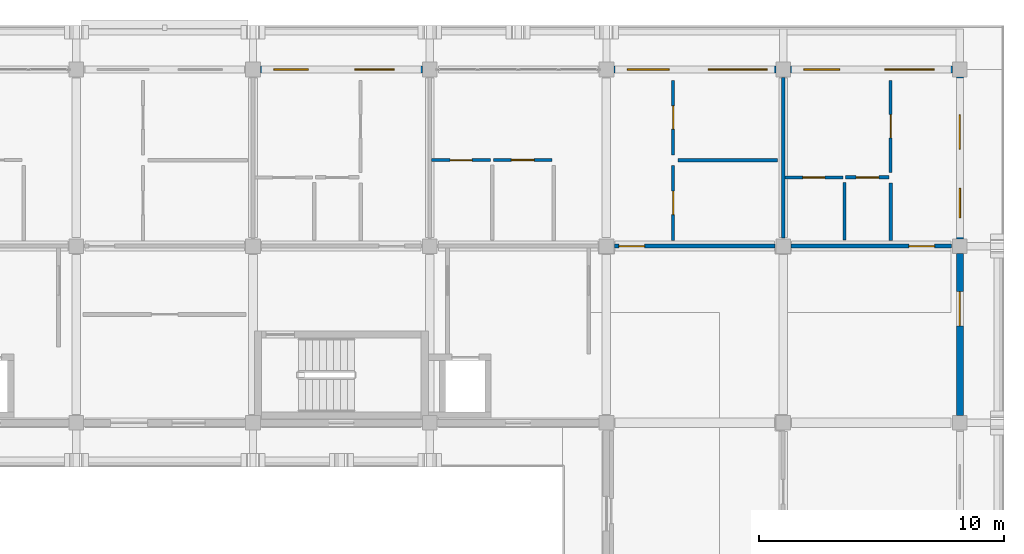
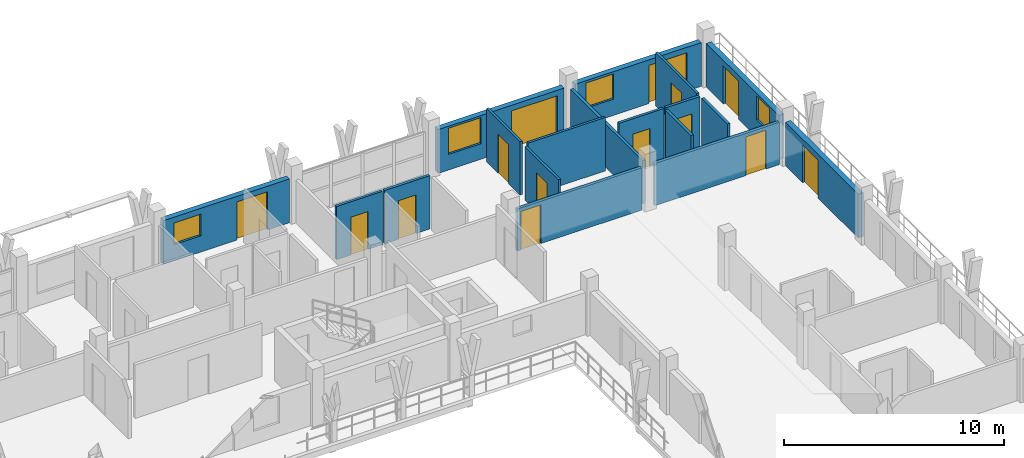
# One storey, part 137 of 157: 18 walls, 14 doors, 4 windows, 18 openings.
"""IFC4 building model written with IfcOpenShell, lengths in metres."""

from ifc_helpers import new_model, si_unit, direction, frame, frame_2d, origin, place, context, subcontext, project, spatial, rectangle, extrude, material, layer, layer_set, type_object, element, fill, save


model = new_model("IFC4")

# Units and contexts
model_context = context("Model", 3, precision=1e-05, world=origin(), true_north=direction((0.0, 1.0)))
body_context = subcontext(model_context, "Body", "Model", "MODEL_VIEW")
ifc_project = project(units=[si_unit("LENGTHUNIT", "METRE"), si_unit("AREAUNIT", "SQUARE_METRE"), si_unit("VOLUMEUNIT", "CUBIC_METRE"), si_unit("PLANEANGLEUNIT", "RADIAN"), si_unit("MASSUNIT", "GRAM", prefix="KILO")], contexts=[model_context])

# Site, building, storey
site_placement = place(None, origin())
site = spatial("IfcSite", under=ifc_project, at=site_placement, CompositionType="ELEMENT")
building_placement = place(site_placement, origin())
building = spatial("IfcBuilding", under=site, at=building_placement, Name="Suanplinth Sawtooth Commons", CompositionType="ELEMENT")
storey_placement = place(building_placement, frame((0.0, 0.0, 9.0)))
storey = spatial("IfcBuildingStorey", under=building, at=storey_placement, Name="L02", CompositionType="ELEMENT", Elevation=9.0)

# Wall, openings, door, window
ifc_material_1 = material(Name="Precast concrete C40/50", Category="concrete")
ifc_layer_1 = layer(ifc_material_1, 0.280029296875, Name="Insulated precast architectural facade wall 280mm")
ifc_layer_set_1 = layer_set([ifc_layer_1], Name="Precast concrete C40/50")
wall_type_1 = type_object("IfcWallType", Name="W-EX01", PredefinedType="ELEMENTEDWALL", material=ifc_layer_set_1)
wall_1_placement = place(storey_placement, frame((158.699951171875, 122.39990234375, 0.0), z_axis=(0.0, 0.0, 1.0), x_axis=(1.0, 0.0, 0.0)))
wall_1 = element("IfcWall", 1, at=wall_1_placement, inside=storey, type_object=wall_type_1, Name="Facade Wall W-L02-B-N-22-16", PredefinedType="ELEMENTEDWALL", context=body_context, shape_type="SweptSolid", body=[
    extrude(rectangle(XDim=6.60009765625, YDim=0.280029296875, at=frame_2d((3.300048828125, 0.0))), origin(), (0.0, 0.0, 1.0), 2.425048828125),
])
opening_1_placement = place(wall_1_placement, frame((3.85009765625, 0.0, 0.0)))
opening_1 = element("IfcOpeningElement", 2, at=opening_1_placement, cuts=wall_1, Name="Opening ED0163", PredefinedType="OPENING", context=body_context, shape_type="SweptSolid", body=[
    extrude(rectangle(XDim=1.60009765625, YDim=2.1201171875, at=frame_2d((0.800048828125, 1.06005859375))), frame((0.0, 0.15478515625, 0.0), z_axis=(0.0, -1.0, 0.0), x_axis=(1.0, 0.0, 0.0)), (0.0, 0.0, 1.0), 0.309814453125),
])
opening_2_placement = place(wall_1_placement, frame((0.550048828125, 0.0, 0.89990234375)))
opening_2 = element("IfcOpeningElement", 3, at=opening_2_placement, cuts=wall_1, Name="Opening W0280", PredefinedType="OPENING", context=body_context, shape_type="SweptSolid", body=[
    extrude(rectangle(XDim=1.39990234375, YDim=1.199951171875, at=frame_2d((0.699951171875, 0.60009765625))), frame((0.0, 0.15478515625, 0.0), z_axis=(0.0, -1.0, 0.0), x_axis=(1.0, 0.0, 0.0)), (0.0, 0.0, 1.0), 0.309814453125),
])
ifc_material_2 = material(Name="Anodized aluminium and low-E glass", Category="aluminium")
door_type_1 = type_object("IfcDoorType", Name="SD-02", OperationType="SLIDING_TO_RIGHT", PredefinedType="DOOR", material=ifc_material_2)
door_1_placement = place(opening_1_placement, frame((1.60009765625, 0.0, 0.0), z_axis=(0.0, 0.0, 1.0), x_axis=(-1.0, 0.0, 0.0)))
door_1 = element("IfcDoor", 4, at=door_1_placement, inside=storey, type_object=door_type_1, Name="Balcony Sliding Door L02-B-22", OperationType="SLIDING_TO_RIGHT", OverallHeight=2.1201171875, OverallWidth=1.60009765625, PredefinedType="DOOR", context=body_context, shape_type="SweptSolid", body=[
    extrude(rectangle(XDim=1.60009765625, YDim=2.1201171875, at=frame_2d((0.800048828125, 1.06005859375))), frame((0.0, 0.02490234375, 0.0), z_axis=(0.0, -1.0, 0.0), x_axis=(1.0, 0.0, 0.0)), (0.0, 0.0, 1.0), 0.050048828125),
])
fill(opening_1, door_1)
ifc_material_3 = material(Name="Thermally broken aluminium and low-E double glazing", Category="aluminium")
window_type_1 = type_object("IfcWindowType", Name="WN-10", PartitioningType="DOUBLE_PANEL_HORIZONTAL", PredefinedType="WINDOW", material=ifc_material_3)
window_1_placement = place(opening_2_placement, origin())
window_1 = element("IfcWindow", 5, at=window_1_placement, inside=storey, type_object=window_type_1, Name="Apartment Window L02-B-22", OverallHeight=1.199951171875, OverallWidth=1.39990234375, PartitioningType="DOUBLE_PANEL_HORIZONTAL", PredefinedType="WINDOW", context=body_context, shape_type="SweptSolid", body=[
    extrude(rectangle(XDim=1.39990234375, YDim=1.199951171875, at=frame_2d((0.699951171875, 0.60009765625))), frame((0.0, 0.030029296875, 0.0), z_axis=(0.0, -1.0, 0.0), x_axis=(1.0, 0.0, 0.0)), (0.0, 0.0, 1.0), 0.06005859375),
])
fill(opening_2, window_1)

wall_2_placement = place(storey_placement, frame((173.10009765625, 122.39990234375, 0.0), z_axis=(0.0, 0.0, 1.0), x_axis=(1.0, 0.0, 0.0)))
wall_2 = element("IfcWall", 6, at=wall_2_placement, inside=storey, type_object=wall_type_1, Name="Facade Wall W-L02-B-N-24-16", PredefinedType="ELEMENTEDWALL", context=body_context, shape_type="SweptSolid", body=[
    extrude(rectangle(XDim=6.599853515625, YDim=0.280029296875, at=frame_2d((3.2998046875, 0.0))), origin(), (0.0, 0.0, 1.0), 2.425048828125),
])
opening_3_placement = place(wall_2_placement, frame((3.85009765625, 0.0, 0.0)))
opening_3 = element("IfcOpeningElement", 7, at=opening_3_placement, cuts=wall_2, Name="Opening ED0168", PredefinedType="OPENING", context=body_context, shape_type="SweptSolid", body=[
    extrude(rectangle(XDim=2.39990234375, YDim=2.1201171875, at=frame_2d((1.199951171875, 1.06005859375))), frame((0.0, 0.15478515625, 0.0), z_axis=(0.0, -1.0, 0.0), x_axis=(1.0, 0.0, 0.0)), (0.0, 0.0, 1.0), 0.309814453125),
])
opening_4_placement = place(wall_2_placement, frame((0.550048828125, 0.0, 0.864990234375)))
opening_4 = element("IfcOpeningElement", 8, at=opening_4_placement, cuts=wall_2, Name="Opening W0283", PredefinedType="OPENING", context=body_context, shape_type="SweptSolid", body=[
    extrude(rectangle(XDim=1.699951171875, YDim=1.449951171875, at=frame_2d((0.85009765625, 0.72509765625))), frame((0.0, 0.15478515625, 0.0), z_axis=(0.0, -1.0, 0.0), x_axis=(1.0, 0.0, 0.0)), (0.0, 0.0, 1.0), 0.309814453125),
])
door_type_2 = type_object("IfcDoorType", Name="SD-04", OperationType="DOUBLE_DOOR_SLIDING", PredefinedType="DOOR", material=ifc_material_2)
door_2_placement = place(opening_3_placement, frame((2.39990234375, 0.0, 0.0), z_axis=(0.0, 0.0, 1.0), x_axis=(-1.0, 0.0, 0.0)))
door_2 = element("IfcDoor", 9, at=door_2_placement, inside=storey, type_object=door_type_2, Name="Balcony Sliding Door L02-B-24", OperationType="DOUBLE_DOOR_SLIDING", OverallHeight=2.1201171875, OverallWidth=2.39990234375, PredefinedType="DOOR", context=body_context, shape_type="SweptSolid", body=[
    extrude(rectangle(XDim=2.39990234375, YDim=2.1201171875, at=frame_2d((1.199951171875, 1.06005859375))), frame((0.0, 0.02490234375, 0.0), z_axis=(0.0, -1.0, 0.0), x_axis=(1.0, 0.0, 0.0)), (0.0, 0.0, 1.0), 0.050048828125),
])
fill(opening_3, door_2)
window_type_2 = type_object("IfcWindowType", Name="WN-15", PartitioningType="DOUBLE_PANEL_VERTICAL", PredefinedType="WINDOW", material=ifc_material_3)
window_2_placement = place(opening_4_placement, origin())
window_2 = element("IfcWindow", 10, at=window_2_placement, inside=storey, type_object=window_type_2, Name="Apartment Window L02-B-24", OverallHeight=1.449951171875, OverallWidth=1.699951171875, PartitioningType="DOUBLE_PANEL_VERTICAL", PredefinedType="WINDOW", context=body_context, shape_type="SweptSolid", body=[
    extrude(rectangle(XDim=1.699951171875, YDim=1.449951171875, at=frame_2d((0.85009765625, 0.72509765625))), frame((0.0, 0.030029296875, 0.0), z_axis=(0.0, -1.0, 0.0), x_axis=(1.0, 0.0, 0.0)), (0.0, 0.0, 1.0), 0.06005859375),
])
fill(opening_4, window_2)

# Wall, opening, door
wall_3_placement = place(storey_placement, frame((187.199951171875, 108.300048828125, 0.0), z_axis=(0.0, 0.0, 1.0), x_axis=(0.0, 1.0, 0.0)))
wall_3 = element("IfcWall", 11, at=wall_3_placement, inside=storey, type_object=wall_type_1, Name="Facade Wall W-L02-B-E-25-15", PredefinedType="ELEMENTEDWALL", context=body_context, shape_type="SweptSolid", body=[
    extrude(rectangle(XDim=6.599853515625, YDim=0.280029296875, at=frame_2d((3.2998046875, 0.0))), origin(), (0.0, 0.0, 1.0), 2.425048828125),
])
opening_5_placement = place(wall_3_placement, frame((3.64990234375, 0.0, 0.0)))
opening_5 = element("IfcOpeningElement", 12, at=opening_5_placement, cuts=wall_3, Name="Opening ED0174", PredefinedType="OPENING", context=body_context, shape_type="SweptSolid", body=[
    extrude(rectangle(XDim=1.39990234375, YDim=2.10009765625, at=frame_2d((0.699951171875, 1.050048828125))), frame((0.0, 0.15478515625, 0.0), z_axis=(0.0, -1.0, 0.0), x_axis=(1.0, 0.0, 0.0)), (0.0, 0.0, 1.0), 0.309814453125),
])
door_type_3 = type_object("IfcDoorType", Name="SD-07", OperationType="SLIDING_TO_RIGHT", PredefinedType="DOOR", material=ifc_material_2)
door_3_placement = place(opening_5_placement, frame((1.39990234375, 0.0, 0.0), z_axis=(0.0, 0.0, 1.0), x_axis=(-1.0, 0.0, 0.0)))
door_3 = element("IfcDoor", 13, at=door_3_placement, inside=storey, type_object=door_type_3, Name="End Balcony Sliding Door L02-B-E-25-15", OperationType="SLIDING_TO_RIGHT", OverallHeight=2.10009765625, OverallWidth=1.39990234375, PredefinedType="DOOR", context=body_context, shape_type="SweptSolid", body=[
    extrude(rectangle(XDim=1.39990234375, YDim=2.10009765625, at=frame_2d((0.699951171875, 1.050048828125))), frame((0.0, 0.02490234375, 0.0), z_axis=(0.0, -1.0, 0.0), x_axis=(1.0, 0.0, 0.0)), (0.0, 0.0, 1.0), 0.050048828125),
])
fill(opening_5, door_3)

# Wall, openings, door, window
wall_4_placement = place(storey_placement, frame((180.300048828125, 122.39990234375, 0.0), z_axis=(0.0, 0.0, 1.0), x_axis=(1.0, 0.0, 0.0)))
wall_4 = element("IfcWall", 14, at=wall_4_placement, inside=storey, type_object=wall_type_1, Name="Facade Wall W-L02-B-N-25-16", PredefinedType="ELEMENTEDWALL", context=body_context, shape_type="SweptSolid", body=[
    extrude(rectangle(XDim=6.599853515625, YDim=0.280029296875, at=frame_2d((3.2998046875, 0.0))), origin(), (0.0, 0.0, 1.0), 2.425048828125),
])
opening_6_placement = place(wall_4_placement, frame((3.85009765625, 0.0, 0.0)))
opening_6 = element("IfcOpeningElement", 15, at=opening_6_placement, cuts=wall_4, Name="Opening ED0175", PredefinedType="OPENING", context=body_context, shape_type="SweptSolid", body=[
    extrude(rectangle(XDim=2.0, YDim=2.1201171875, at=frame_2d((1.0, 1.06005859375))), frame((0.0, 0.15478515625, 0.0), z_axis=(0.0, -1.0, 0.0), x_axis=(1.0, 0.0, 0.0)), (0.0, 0.0, 1.0), 0.309814453125),
])
opening_7_placement = place(wall_4_placement, frame((0.550048828125, 0.0, 0.89990234375)))
opening_7 = element("IfcOpeningElement", 16, at=opening_7_placement, cuts=wall_4, Name="Opening W0288", PredefinedType="OPENING", context=body_context, shape_type="SweptSolid", body=[
    extrude(rectangle(XDim=1.449951171875, YDim=1.39990234375, at=frame_2d((0.72509765625, 0.699951171875))), frame((0.0, 0.15478515625, 0.0), z_axis=(0.0, -1.0, 0.0), x_axis=(1.0, 0.0, 0.0)), (0.0, 0.0, 1.0), 0.309814453125),
])
door_type_4 = type_object("IfcDoorType", Name="SD-06", OperationType="DOUBLE_DOOR_SLIDING", PredefinedType="DOOR", material=ifc_material_2)
door_4_placement = place(opening_6_placement, frame((2.0, 0.0, 0.0), z_axis=(0.0, 0.0, 1.0), x_axis=(-1.0, 0.0, 0.0)))
door_4 = element("IfcDoor", 17, at=door_4_placement, inside=storey, type_object=door_type_4, Name="Balcony Sliding Door L02-B-25", OperationType="DOUBLE_DOOR_SLIDING", OverallHeight=2.1201171875, OverallWidth=2.0, PredefinedType="DOOR", context=body_context, shape_type="SweptSolid", body=[
    extrude(rectangle(XDim=2.0, YDim=2.1201171875, at=frame_2d((1.0, 1.06005859375))), frame((0.0, 0.02490234375, 0.0), z_axis=(0.0, -1.0, 0.0), x_axis=(1.0, 0.0, 0.0)), (0.0, 0.0, 1.0), 0.050048828125),
])
fill(opening_6, door_4)
window_type_3 = type_object("IfcWindowType", Name="WN-16", PartitioningType="DOUBLE_PANEL_VERTICAL", PredefinedType="WINDOW", material=ifc_material_3)
window_3_placement = place(opening_7_placement, origin())
window_3 = element("IfcWindow", 18, at=window_3_placement, inside=storey, type_object=window_type_3, Name="Apartment Window L02-B-25", OverallHeight=1.39990234375, OverallWidth=1.449951171875, PartitioningType="DOUBLE_PANEL_VERTICAL", PredefinedType="WINDOW", context=body_context, shape_type="SweptSolid", body=[
    extrude(rectangle(XDim=1.449951171875, YDim=1.39990234375, at=frame_2d((0.72509765625, 0.699951171875))), frame((0.0, 0.030029296875, 0.0), z_axis=(0.0, -1.0, 0.0), x_axis=(1.0, 0.0, 0.0)), (0.0, 0.0, 1.0), 0.06005859375),
])
fill(opening_7, window_3)

wall_5_placement = place(storey_placement, frame((187.199951171875, 115.5, 0.0), z_axis=(0.0, 0.0, 1.0), x_axis=(0.0, 1.0, 0.0)))
wall_5 = element("IfcWall", 19, at=wall_5_placement, inside=storey, type_object=wall_type_1, Name="Facade Wall W-L02-B-E-25-16", PredefinedType="ELEMENTEDWALL", context=body_context, shape_type="SweptSolid", body=[
    extrude(rectangle(XDim=6.60009765625, YDim=0.280029296875, at=frame_2d((3.300048828125, 0.0))), origin(), (0.0, 0.0, 1.0), 2.425048828125),
])
opening_8_placement = place(wall_5_placement, frame((3.64990234375, 0.0, 0.0)))
opening_8 = element("IfcOpeningElement", 20, at=opening_8_placement, cuts=wall_5, Name="Opening ED0176", PredefinedType="OPENING", context=body_context, shape_type="SweptSolid", body=[
    extrude(rectangle(XDim=1.39990234375, YDim=2.10009765625, at=frame_2d((0.699951171875, 1.050048828125))), frame((0.0, 0.15478515625, 0.0), z_axis=(0.0, -1.0, 0.0), x_axis=(1.0, 0.0, 0.0)), (0.0, 0.0, 1.0), 0.309814453125),
])
opening_9_placement = place(wall_5_placement, frame((0.85009765625, 0.0, 0.949951171875)))
opening_9 = element("IfcOpeningElement", 21, at=opening_9_placement, cuts=wall_5, Name="Opening W0289", PredefinedType="OPENING", context=body_context, shape_type="SweptSolid", body=[
    extrude(rectangle(XDim=1.199951171875, YDim=1.35009765625, at=frame_2d((0.60009765625, 0.675048828125))), frame((0.0, 0.15478515625, 0.0), z_axis=(0.0, -1.0, 0.0), x_axis=(1.0, 0.0, 0.0)), (0.0, 0.0, 1.0), 0.309814453125),
])
door_5_placement = place(opening_8_placement, frame((1.39990234375, 0.0, 0.0), z_axis=(0.0, 0.0, 1.0), x_axis=(-1.0, 0.0, 0.0)))
door_5 = element("IfcDoor", 22, at=door_5_placement, inside=storey, type_object=door_type_3, Name="End Balcony Sliding Door L02-B-E-25-16", OperationType="SLIDING_TO_RIGHT", OverallHeight=2.10009765625, OverallWidth=1.39990234375, PredefinedType="DOOR", context=body_context, shape_type="SweptSolid", body=[
    extrude(rectangle(XDim=1.39990234375, YDim=2.10009765625, at=frame_2d((0.699951171875, 1.050048828125))), frame((0.0, 0.02490234375, 0.0), z_axis=(0.0, -1.0, 0.0), x_axis=(1.0, 0.0, 0.0)), (0.0, 0.0, 1.0), 0.050048828125),
])
fill(opening_8, door_5)
window_type_4 = type_object("IfcWindowType", Name="WN-03", PartitioningType="SINGLE_PANEL", PredefinedType="WINDOW", material=ifc_material_3)
window_4_placement = place(opening_9_placement, origin())
window_4 = element("IfcWindow", 23, at=window_4_placement, inside=storey, type_object=window_type_4, Name="End Bedroom Window L02-B-25-16", OverallHeight=1.35009765625, OverallWidth=1.199951171875, PartitioningType="SINGLE_PANEL", PredefinedType="WINDOW", context=body_context, shape_type="SweptSolid", body=[
    extrude(rectangle(XDim=1.199951171875, YDim=1.35009765625, at=frame_2d((0.60009765625, 0.675048828125))), frame((0.0, 0.030029296875, 0.0), z_axis=(0.0, -1.0, 0.0), x_axis=(1.0, 0.0, 0.0)), (0.0, 0.0, 1.0), 0.06005859375),
])
fill(opening_9, window_4)

# Wall, opening, door
ifc_layer_2 = layer(ifc_material_1, 0.159912109375, Name="Fire-rated corridor and lobby wall 160mm")
ifc_layer_set_2 = layer_set([ifc_layer_2], Name="Precast concrete C40/50")
wall_type_2 = type_object("IfcWallType", Name="W-FW01", PredefinedType="PARTITIONING", material=ifc_layer_set_2)
wall_6_placement = place(storey_placement, frame((173.1298828125, 115.199951171875, 0.0), z_axis=(0.0, 0.0, 1.0), x_axis=(1.0, 0.0, 0.0)))
wall_6 = element("IfcWall", 24, at=wall_6_placement, inside=storey, type_object=wall_type_2, Name="W-B-L02-U05-COR-S2", PredefinedType="PARTITIONING", context=body_context, shape_type="SweptSolid", body=[
    extrude(rectangle(XDim=6.5400390625, YDim=0.159912109375, at=frame_2d((3.27001953125, 0.0))), origin(), (0.0, 0.0, 1.0), 2.344970703125),
])
opening_10_placement = place(wall_6_placement, frame((0.179931640625, 0.0, 0.0)))
opening_10 = element("IfcOpeningElement", 25, at=opening_10_placement, cuts=wall_6, Name="Opening FD0763", PredefinedType="OPENING", context=body_context, shape_type="SweptSolid", body=[
    extrude(rectangle(XDim=1.050048828125, YDim=2.14990234375, at=frame_2d((0.52490234375, 1.074951171875))), frame((0.0, 0.0947265625, 0.0), z_axis=(0.0, -1.0, 0.0), x_axis=(1.0, 0.0, 0.0)), (0.0, 0.0, 1.0), 0.189697265625),
])
ifc_material_4 = material(Name="Teak hardwood fire-rated door assembly", Category="wood")
door_type_5 = type_object("IfcDoorType", Name="FD-04", OperationType="NOTDEFINED", PredefinedType="DOOR", material=ifc_material_4)
door_6_placement = place(opening_10_placement, origin())
door_6 = element("IfcDoor", 26, at=door_6_placement, inside=storey, type_object=door_type_5, Name="Unit Entrance Door FD0763", OperationType="SINGLE_SWING_LEFT", OverallHeight=2.14990234375, OverallWidth=1.050048828125, PredefinedType="DOOR", context=body_context, shape_type="SweptSolid", body=[
    extrude(rectangle(XDim=1.050048828125, YDim=2.14990234375, at=frame_2d((0.52490234375, 1.074951171875))), frame((0.0, 0.02490234375, 0.0), z_axis=(0.0, -1.0, 0.0), x_axis=(1.0, 0.0, 0.0)), (0.0, 0.0, 1.0), 0.050048828125),
])
fill(opening_10, door_6)

wall_7_placement = place(storey_placement, frame((180.330078125, 115.199951171875, 0.0), z_axis=(0.0, 0.0, 1.0), x_axis=(1.0, 0.0, 0.0)))
wall_7 = element("IfcWall", 27, at=wall_7_placement, inside=storey, type_object=wall_type_2, Name="W-B-L02-U06-COR", PredefinedType="PARTITIONING", context=body_context, shape_type="SweptSolid", body=[
    extrude(rectangle(XDim=6.5400390625, YDim=0.159912109375, at=frame_2d((3.27001953125, 0.0))), origin(), (0.0, 0.0, 1.0), 2.344970703125),
])
opening_11_placement = place(wall_7_placement, frame((4.794921875, 0.0, 0.0)))
opening_11 = element("IfcOpeningElement", 28, at=opening_11_placement, cuts=wall_7, Name="Opening FD0768", PredefinedType="OPENING", context=body_context, shape_type="SweptSolid", body=[
    extrude(rectangle(XDim=1.050048828125, YDim=2.14990234375, at=frame_2d((0.52490234375, 1.074951171875))), frame((0.0, 0.0947265625, 0.0), z_axis=(0.0, -1.0, 0.0), x_axis=(1.0, 0.0, 0.0)), (0.0, 0.0, 1.0), 0.189697265625),
])
door_7_placement = place(opening_11_placement, origin())
door_7 = element("IfcDoor", 29, at=door_7_placement, inside=storey, type_object=door_type_5, Name="Unit Entrance Door FD0768", OperationType="SINGLE_SWING_RIGHT", OverallHeight=2.14990234375, OverallWidth=1.050048828125, PredefinedType="DOOR", context=body_context, shape_type="SweptSolid", body=[
    extrude(rectangle(XDim=1.050048828125, YDim=2.14990234375, at=frame_2d((0.52490234375, 1.074951171875))), frame((0.0, 0.02490234375, 0.0), z_axis=(0.0, -1.0, 0.0), x_axis=(1.0, 0.0, 0.0)), (0.0, 0.0, 1.0), 0.050048828125),
])
fill(opening_11, door_7)

# Wall
ifc_layer_3 = layer(ifc_material_1, 0.14990234375, Name="Acoustic precast party demising wall 150mm")
ifc_layer_set_3 = layer_set([ifc_layer_3], Name="Precast concrete C40/50")
wall_type_3 = type_object("IfcWallType", Name="W-FW02", PredefinedType="PARTITIONING", material=ifc_layer_set_3)
wall_8_placement = place(storey_placement, frame((180.0, 115.530029296875, 0.0), z_axis=(0.0, 0.0, 1.0), x_axis=(0.0, 1.0, 0.0)))
element("IfcWall", 30, at=wall_8_placement, inside=storey, type_object=wall_type_3, Name="W-B-L02-U05-PTY", PredefinedType="PARTITIONING", context=body_context, shape_type="SweptSolid", body=[
    extrude(rectangle(XDim=6.5400390625, YDim=0.14990234375, at=frame_2d((3.27001953125, 0.0))), origin(), (0.0, 0.0, 1.0), 2.39501953125),
])

# Wall, opening, door
ifc_material_5 = material(Name="Gypsum plasterboard on steel stud", Category="steel")
ifc_layer_4 = layer(ifc_material_5, 0.139892578125, Name="Fire-rated kitchen partition 140mm")
ifc_layer_set_4 = layer_set([ifc_layer_4], Name="Gypsum plasterboard on steel stud")
wall_type_4 = type_object("IfcWallType", Name="W-PT01", PredefinedType="PARTITIONING", material=ifc_layer_set_4)
wall_9_placement = place(storey_placement, frame((168.199951171875, 118.7099609375, 0.0), z_axis=(0.0, 0.0, 1.0), x_axis=(1.0, 0.0, 0.0)))
wall_9 = element("IfcWall", 31, at=wall_9_placement, inside=storey, type_object=wall_type_4, Name="W-B-L02-U05-KIT1", PredefinedType="PARTITIONING", context=body_context, shape_type="SweptSolid", body=[
    extrude(rectangle(XDim=2.380126953125, YDim=0.139892578125, at=frame_2d((1.18994140625, 0.0))), origin(), (0.0, 0.0, 1.0), 2.9599609375),
])
opening_12_placement = place(wall_9_placement, frame((0.72509765625, 0.0, 0.0)))
opening_12 = element("IfcOpeningElement", 32, at=opening_12_placement, cuts=wall_9, Name="Opening D0765", PredefinedType="OPENING", context=body_context, shape_type="SweptSolid", body=[
    extrude(rectangle(XDim=0.929931640625, YDim=2.139892578125, at=frame_2d((0.46484375, 1.06982421875))), frame((0.0, 0.0849609375, 0.0), z_axis=(0.0, -1.0, 0.0), x_axis=(1.0, 0.0, 0.0)), (0.0, 0.0, 1.0), 0.169677734375),
])
ifc_material_6 = material(Name="Teak hardwood", Category="wood")
door_type_6 = type_object("IfcDoorType", Name="D-19", OperationType="NOTDEFINED", PredefinedType="DOOR", material=ifc_material_6)
door_8_placement = place(opening_12_placement, frame((0.929931640625, 0.0, 0.0), z_axis=(0.0, 0.0, 1.0), x_axis=(-1.0, 0.0, 0.0)))
door_8 = element("IfcDoor", 33, at=door_8_placement, inside=storey, type_object=door_type_6, Name="Kitchen Door D0765", OperationType="SINGLE_SWING_LEFT", OverallHeight=2.139892578125, OverallWidth=0.929931640625, PredefinedType="DOOR", context=body_context, shape_type="SweptSolid", body=[
    extrude(rectangle(XDim=0.929931640625, YDim=2.139892578125, at=frame_2d((0.46484375, 1.06982421875))), frame((0.0, 0.02490234375, 0.0), z_axis=(0.0, -1.0, 0.0), x_axis=(1.0, 0.0, 0.0)), (0.0, 0.0, 1.0), 0.050048828125),
])
fill(opening_12, door_8)

wall_10_placement = place(storey_placement, frame((182.550048828125, 118.0, 0.0), z_axis=(0.0, 0.0, 1.0), x_axis=(1.0, 0.0, 0.0)))
wall_10 = element("IfcWall", 34, at=wall_10_placement, inside=storey, type_object=wall_type_4, Name="W-B-L02-U06-KIT1", PredefinedType="PARTITIONING", context=body_context, shape_type="SweptSolid", body=[
    extrude(rectangle(XDim=1.77001953125, YDim=0.139892578125, at=frame_2d((0.885009765625, 0.0))), origin(), (0.0, 0.0, 1.0), 2.9599609375),
])
opening_13_placement = place(wall_10_placement, frame((0.419921875, 0.0, 0.0)))
opening_13 = element("IfcOpeningElement", 35, at=opening_13_placement, cuts=wall_10, Name="Opening D0770", PredefinedType="OPENING", context=body_context, shape_type="SweptSolid", body=[
    extrude(rectangle(XDim=0.929931640625, YDim=2.139892578125, at=frame_2d((0.46484375, 1.06982421875))), frame((0.0, 0.0849609375, 0.0), z_axis=(0.0, -1.0, 0.0), x_axis=(1.0, 0.0, 0.0)), (0.0, 0.0, 1.0), 0.169677734375),
])
door_9_placement = place(opening_13_placement, frame((0.929931640625, 0.0, 0.0), z_axis=(0.0, 0.0, 1.0), x_axis=(-1.0, 0.0, 0.0)))
door_9 = element("IfcDoor", 36, at=door_9_placement, inside=storey, type_object=door_type_6, Name="Kitchen Door D0770", OperationType="SINGLE_SWING_RIGHT", OverallHeight=2.139892578125, OverallWidth=0.929931640625, PredefinedType="DOOR", context=body_context, shape_type="SweptSolid", body=[
    extrude(rectangle(XDim=0.929931640625, YDim=2.139892578125, at=frame_2d((0.46484375, 1.06982421875))), frame((0.0, 0.02490234375, 0.0), z_axis=(0.0, -1.0, 0.0), x_axis=(1.0, 0.0, 0.0)), (0.0, 0.0, 1.0), 0.050048828125),
])
fill(opening_13, door_9)

# Wall
wall_11_placement = place(storey_placement, frame((184.389892578125, 115.429931640625, 0.0), z_axis=(0.0, 0.0, 1.0), x_axis=(0.0, 1.0, 0.0)))
element("IfcWall", 37, at=wall_11_placement, inside=storey, type_object=wall_type_4, Name="W-B-L02-U06-KIT2", PredefinedType="PARTITIONING", context=body_context, shape_type="SweptSolid", body=[
    extrude(rectangle(XDim=2.35009765625, YDim=0.139892578125, at=frame_2d((1.175048828125, 0.0))), origin(), (0.0, 0.0, 1.0), 2.9599609375),
])

# Wall, opening, door
ifc_layer_5 = layer(ifc_material_5, 0.1298828125, Name="Moisture-resistant bathroom partition 130mm")
ifc_layer_set_5 = layer_set([ifc_layer_5], Name="Gypsum plasterboard on steel stud")
wall_type_5 = type_object("IfcWallType", Name="W-PT02", PredefinedType="PARTITIONING", material=ifc_layer_set_5)
wall_12_placement = place(storey_placement, frame((165.679931640625, 118.705078125, 0.0), z_axis=(0.0, 0.0, 1.0), x_axis=(1.0, 0.0, 0.0)))
wall_12 = element("IfcWall", 38, at=wall_12_placement, inside=storey, type_object=wall_type_5, Name="W-B-L02-U05-BTH1", PredefinedType="PARTITIONING", context=body_context, shape_type="SweptSolid", body=[
    extrude(rectangle(XDim=2.400146484375, YDim=0.1298828125, at=frame_2d((1.2001953125, 0.0))), origin(), (0.0, 0.0, 1.0), 2.9599609375),
])
opening_14_placement = place(wall_12_placement, frame((0.75, 0.0, 0.0)))
opening_14 = element("IfcOpeningElement", 39, at=opening_14_placement, cuts=wall_12, Name="Opening D0764", PredefinedType="OPENING", context=body_context, shape_type="SweptSolid", body=[
    extrude(rectangle(XDim=0.89990234375, YDim=2.10009765625, at=frame_2d((0.449951171875, 1.050048828125))), frame((0.0, 0.079833984375, 0.0), z_axis=(0.0, -1.0, 0.0), x_axis=(1.0, 0.0, 0.0)), (0.0, 0.0, 1.0), 0.15966796875),
])
door_type_7 = type_object("IfcDoorType", Name="D-01", OperationType="NOTDEFINED", PredefinedType="DOOR", material=ifc_material_6)
door_10_placement = place(opening_14_placement, frame((0.89990234375, 0.0, 0.0), z_axis=(0.0, 0.0, 1.0), x_axis=(-1.0, 0.0, 0.0)))
door_10 = element("IfcDoor", 40, at=door_10_placement, inside=storey, type_object=door_type_7, Name="Bathroom Door D0764", OperationType="SINGLE_SWING_RIGHT", OverallHeight=2.10009765625, OverallWidth=0.89990234375, PredefinedType="DOOR", context=body_context, shape_type="SweptSolid", body=[
    extrude(rectangle(XDim=0.89990234375, YDim=2.10009765625, at=frame_2d((0.449951171875, 1.050048828125))), frame((0.0, 0.02490234375, 0.0), z_axis=(0.0, -1.0, 0.0), x_axis=(1.0, 0.0, 0.0)), (0.0, 0.0, 1.0), 0.050048828125),
])
fill(opening_14, door_10)

wall_13_placement = place(storey_placement, frame((180.080078125, 117.9951171875, 0.0), z_axis=(0.0, 0.0, 1.0), x_axis=(1.0, 0.0, 0.0)))
wall_13 = element("IfcWall", 41, at=wall_13_placement, inside=storey, type_object=wall_type_5, Name="W-B-L02-U06-BTH1", PredefinedType="PARTITIONING", context=body_context, shape_type="SweptSolid", body=[
    extrude(rectangle(XDim=2.349853515625, YDim=0.1298828125, at=frame_2d((1.1748046875, 0.0))), origin(), (0.0, 0.0, 1.0), 2.9599609375),
])
opening_15_placement = place(wall_13_placement, frame((0.72509765625, 0.0, 0.0)))
opening_15 = element("IfcOpeningElement", 42, at=opening_15_placement, cuts=wall_13, Name="Opening D0769", PredefinedType="OPENING", context=body_context, shape_type="SweptSolid", body=[
    extrude(rectangle(XDim=0.89990234375, YDim=2.10009765625, at=frame_2d((0.449951171875, 1.050048828125))), frame((0.0, 0.079833984375, 0.0), z_axis=(0.0, -1.0, 0.0), x_axis=(1.0, 0.0, 0.0)), (0.0, 0.0, 1.0), 0.15966796875),
])
door_11_placement = place(opening_15_placement, frame((0.89990234375, 0.0, 0.0), z_axis=(0.0, 0.0, 1.0), x_axis=(-1.0, 0.0, 0.0)))
door_11 = element("IfcDoor", 43, at=door_11_placement, inside=storey, type_object=door_type_7, Name="Bathroom Door D0769", OperationType="SINGLE_SWING_LEFT", OverallHeight=2.10009765625, OverallWidth=0.89990234375, PredefinedType="DOOR", context=body_context, shape_type="SweptSolid", body=[
    extrude(rectangle(XDim=0.89990234375, YDim=2.10009765625, at=frame_2d((0.449951171875, 1.050048828125))), frame((0.0, 0.02490234375, 0.0), z_axis=(0.0, -1.0, 0.0), x_axis=(1.0, 0.0, 0.0)), (0.0, 0.0, 1.0), 0.050048828125),
])
fill(opening_15, door_11)

# Wall
wall_14_placement = place(storey_placement, frame((182.4951171875, 115.4599609375, 0.0), z_axis=(0.0, 0.0, 1.0), x_axis=(0.0, 1.0, 0.0)))
element("IfcWall", 44, at=wall_14_placement, inside=storey, type_object=wall_type_5, Name="W-B-L02-U06-BTH2", PredefinedType="PARTITIONING", context=body_context, shape_type="SweptSolid", body=[
    extrude(rectangle(XDim=2.330078125, YDim=0.1298828125, at=frame_2d((1.1650390625, 0.0))), origin(), (0.0, 0.0, 1.0), 2.9599609375),
])

# Wall, opening, door
ifc_layer_6 = layer(ifc_material_5, 0.1201171875, Name="Acoustic bedroom partition 120mm")
ifc_layer_set_6 = layer_set([ifc_layer_6], Name="Gypsum plasterboard on steel stud")
wall_type_6 = type_object("IfcWallType", Name="W-PT03", PredefinedType="PARTITIONING", material=ifc_layer_set_6)
wall_15_placement = place(storey_placement, frame((175.52001953125, 118.919921875, 0.0), z_axis=(0.0, 0.0, 1.0), x_axis=(0.0, 1.0, 0.0)))
wall_15 = element("IfcWall", 45, at=wall_15_placement, inside=storey, type_object=wall_type_6, Name="W-B-L02-U05-BED1", PredefinedType="PARTITIONING", context=body_context, shape_type="SweptSolid", body=[
    extrude(rectangle(XDim=3.0400390625, YDim=0.1201171875, at=frame_2d((1.52001953125, 0.0))), origin(), (0.0, 0.0, 1.0), 2.9599609375),
])
opening_16_placement = place(wall_15_placement, frame((1.044921875, 0.0, 0.0)))
opening_16 = element("IfcOpeningElement", 46, at=opening_16_placement, cuts=wall_15, Name="Opening D0766", PredefinedType="OPENING", context=body_context, shape_type="SweptSolid", body=[
    extrude(rectangle(XDim=0.949951171875, YDim=2.14990234375, at=frame_2d((0.47509765625, 1.074951171875))), frame((0.0, 0.074951171875, 0.0), z_axis=(0.0, -1.0, 0.0), x_axis=(1.0, 0.0, 0.0)), (0.0, 0.0, 1.0), 0.14990234375),
])
door_type_8 = type_object("IfcDoorType", Name="D-03", OperationType="NOTDEFINED", PredefinedType="DOOR", material=ifc_material_6)
door_12_placement = place(opening_16_placement, frame((0.949951171875, 0.0, 0.0), z_axis=(0.0, 0.0, 1.0), x_axis=(-1.0, 0.0, 0.0)))
door_12 = element("IfcDoor", 47, at=door_12_placement, inside=storey, type_object=door_type_8, Name="Bedroom Door D0766", OperationType="SINGLE_SWING_RIGHT", OverallHeight=2.14990234375, OverallWidth=0.949951171875, PredefinedType="DOOR", context=body_context, shape_type="SweptSolid", body=[
    extrude(rectangle(XDim=0.949951171875, YDim=2.14990234375, at=frame_2d((0.47509765625, 1.074951171875))), frame((0.0, 0.02490234375, 0.0), z_axis=(0.0, -1.0, 0.0), x_axis=(1.0, 0.0, 0.0)), (0.0, 0.0, 1.0), 0.050048828125),
])
fill(opening_16, door_12)

wall_16_placement = place(storey_placement, frame((175.52001953125, 115.43994140625, 0.0), z_axis=(0.0, 0.0, 1.0), x_axis=(0.0, 1.0, 0.0)))
wall_16 = element("IfcWall", 48, at=wall_16_placement, inside=storey, type_object=wall_type_6, Name="W-B-L02-U05-BED2", PredefinedType="PARTITIONING", context=body_context, shape_type="SweptSolid", body=[
    extrude(rectangle(XDim=3.0400390625, YDim=0.1201171875, at=frame_2d((1.52001953125, 0.0))), origin(), (0.0, 0.0, 1.0), 2.9599609375),
])
opening_17_placement = place(wall_16_placement, frame((1.0400390625, 0.0, 0.0)))
opening_17 = element("IfcOpeningElement", 49, at=opening_17_placement, cuts=wall_16, Name="Opening D0767", PredefinedType="OPENING", context=body_context, shape_type="SweptSolid", body=[
    extrude(rectangle(XDim=0.9599609375, YDim=2.14990234375, at=frame_2d((0.47998046875, 1.074951171875))), frame((0.0, 0.074951171875, 0.0), z_axis=(0.0, -1.0, 0.0), x_axis=(1.0, 0.0, 0.0)), (0.0, 0.0, 1.0), 0.14990234375),
])
door_type_9 = type_object("IfcDoorType", Name="D-13", OperationType="NOTDEFINED", PredefinedType="DOOR", material=ifc_material_6)
door_13_placement = place(opening_17_placement, frame((0.9599609375, 0.0, 0.0), z_axis=(0.0, 0.0, 1.0), x_axis=(-1.0, 0.0, 0.0)))
door_13 = element("IfcDoor", 50, at=door_13_placement, inside=storey, type_object=door_type_9, Name="Second Bedroom Door D0767", OperationType="SINGLE_SWING_LEFT", OverallHeight=2.14990234375, OverallWidth=0.9599609375, PredefinedType="DOOR", context=body_context, shape_type="SweptSolid", body=[
    extrude(rectangle(XDim=0.9599609375, YDim=2.14990234375, at=frame_2d((0.47998046875, 1.074951171875))), frame((0.0, 0.02490234375, 0.0), z_axis=(0.0, -1.0, 0.0), x_axis=(1.0, 0.0, 0.0)), (0.0, 0.0, 1.0), 0.050048828125),
])
fill(opening_17, door_13)

wall_17_placement = place(storey_placement, frame((184.3798828125, 118.2099609375, 0.0), z_axis=(0.0, 0.0, 1.0), x_axis=(0.0, 1.0, 0.0)))
wall_17 = element("IfcWall", 51, at=wall_17_placement, inside=storey, type_object=wall_type_6, Name="W-B-L02-U06-BED1", PredefinedType="PARTITIONING", context=body_context, shape_type="SweptSolid", body=[
    extrude(rectangle(XDim=3.75, YDim=0.1201171875, at=frame_2d((1.875, 0.0))), origin(), (0.0, 0.0, 1.0), 2.9599609375),
])
opening_18_placement = place(wall_17_placement, frame((1.39990234375, 0.0, 0.0)))
opening_18 = element("IfcOpeningElement", 52, at=opening_18_placement, cuts=wall_17, Name="Opening D0771", PredefinedType="OPENING", context=body_context, shape_type="SweptSolid", body=[
    extrude(rectangle(XDim=0.949951171875, YDim=2.14990234375, at=frame_2d((0.47509765625, 1.074951171875))), frame((0.0, 0.074951171875, 0.0), z_axis=(0.0, -1.0, 0.0), x_axis=(1.0, 0.0, 0.0)), (0.0, 0.0, 1.0), 0.14990234375),
])
door_14_placement = place(opening_18_placement, origin())
door_14 = element("IfcDoor", 53, at=door_14_placement, inside=storey, type_object=door_type_8, Name="Bedroom Door D0771", OperationType="SINGLE_SWING_LEFT", OverallHeight=2.14990234375, OverallWidth=0.949951171875, PredefinedType="DOOR", context=body_context, shape_type="SweptSolid", body=[
    extrude(rectangle(XDim=0.949951171875, YDim=2.14990234375, at=frame_2d((0.47509765625, 1.074951171875))), frame((0.0, 0.02490234375, 0.0), z_axis=(0.0, -1.0, 0.0), x_axis=(1.0, 0.0, 0.0)), (0.0, 0.0, 1.0), 0.050048828125),
])
fill(opening_18, door_14)

# Wall
ifc_layer_7 = layer(ifc_material_5, 0.125, Name="Acoustic study partition 125mm")
ifc_layer_set_7 = layer_set([ifc_layer_7], Name="Gypsum plasterboard on steel stud")
wall_type_7 = type_object("IfcWallType", Name="W-PT06", PredefinedType="PARTITIONING", material=ifc_layer_set_7)
wall_18_placement = place(storey_placement, frame((175.719970703125, 118.699951171875, 0.0), z_axis=(0.0, 0.0, 1.0), x_axis=(1.0, 0.0, 0.0)))
element("IfcWall", 54, at=wall_18_placement, inside=storey, type_object=wall_type_7, Name="W-B-L02-U05-BEDDIV", PredefinedType="PARTITIONING", context=body_context, shape_type="SweptSolid", body=[
    extrude(rectangle(XDim=4.06005859375, YDim=0.125, at=frame_2d((2.030029296875, 0.0))), origin(), (0.0, 0.0, 1.0), 2.9599609375),
])

save(model, "model.ifc")
